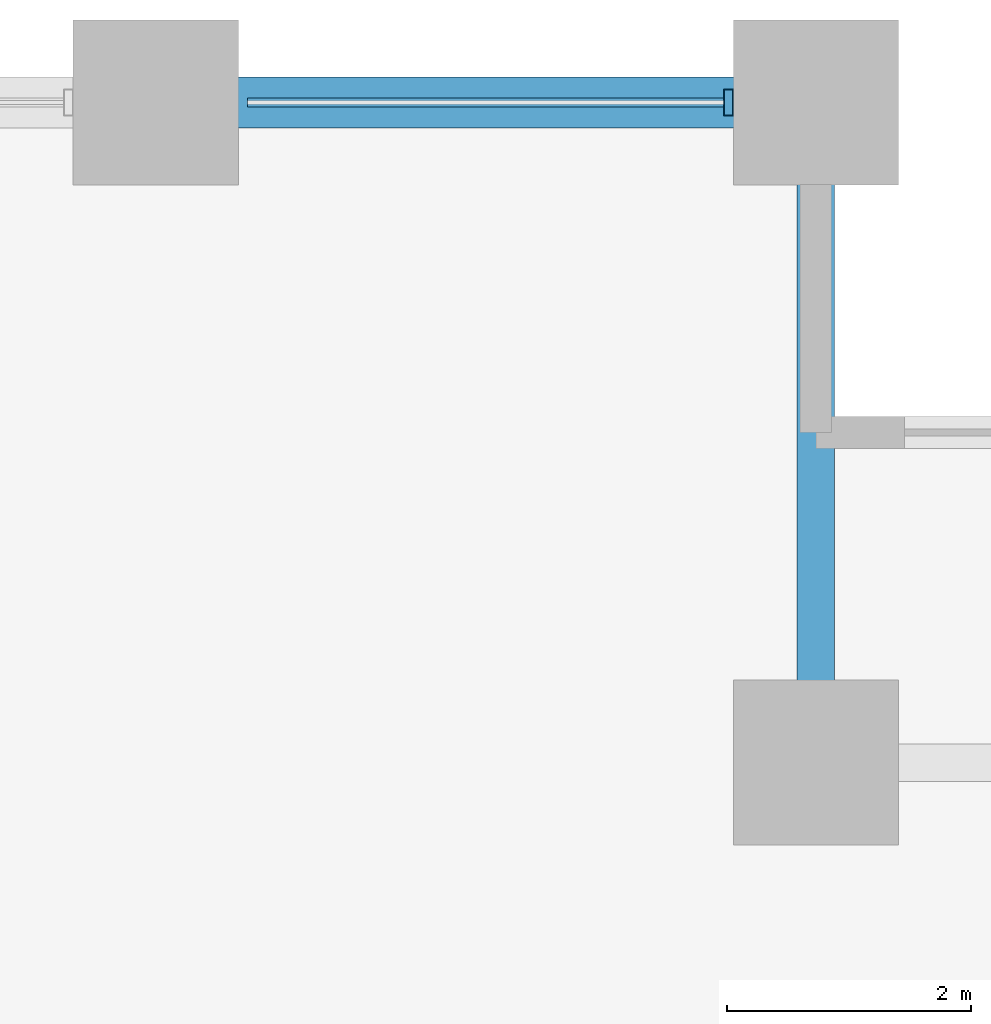
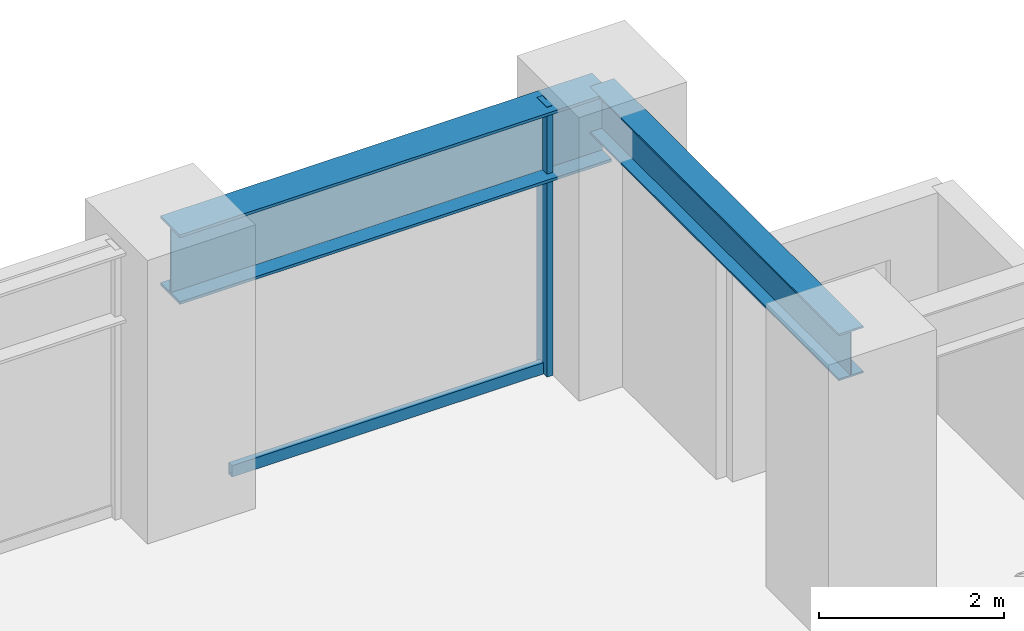
# One storey, part 16 of 25: 2 beams, 2 members, 1 element without a shape of its own.
"""IFC4 building model written with IfcOpenShell, lengths in metres."""

from ifc_helpers import new_model, si_unit, direction, frame, origin, origin_2d, place, context, subcontext, project, spatial, hollow_rectangle, i_section, extrude, material, layer, layer_set, material_profile, profile_set, type_object, element, aggregate, save


model = new_model("IFC4")

# Units and contexts
model_context = context("Model", 3, precision=1e-05, world=origin(), true_north=direction((0.0, 1.0)))
body_context = subcontext(model_context, "Body", "Model", "MODEL_VIEW")
ifc_project = project(units=[si_unit("LENGTHUNIT", "METRE"), si_unit("AREAUNIT", "SQUARE_METRE"), si_unit("VOLUMEUNIT", "CUBIC_METRE"), si_unit("PLANEANGLEUNIT", "RADIAN"), si_unit("MASSUNIT", "GRAM", prefix="KILO")], contexts=[model_context])

# Site, building, storey
site_placement = place(None, origin())
site = spatial("IfcSite", under=ifc_project, at=site_placement, CompositionType="ELEMENT")
building_placement = place(site_placement, origin())
building = spatial("IfcBuilding", under=site, at=building_placement, Name="Surkhivell Harbour Commons", CompositionType="ELEMENT")
storey_placement = place(building_placement, frame((0.0, 0.0, 33.75)))
storey = spatial("IfcBuildingStorey", under=building, at=storey_placement, Name="L08", CompositionType="ELEMENT", Elevation=33.75)

# Beams
ifc_material_1 = material(Name="Steel S355", Category="steel")
ifc_material_profile_1 = material_profile(ifc_material_1, i_section(OverallWidth=0.306884765625, OverallDepth=0.6201171875, WebThickness=0.01416015625, FlangeThickness=0.023681640625, at=origin_2d()), Name="UB610x305x179")
ifc_profile_set_1 = profile_set([ifc_material_profile_1], Name="Steel S355")
beam_type_1 = type_object("IfcBeamType", Name="BM-GRD-610A", PredefinedType="BEAM", material=ifc_profile_set_1)
beam_1_placement = place(storey_placement, frame((27.0, 20.5, 3.260009765625), z_axis=(0.0, 1.0, 0.0), x_axis=(-1.0, 0.0, 0.0)))
element("IfcBeam", 1, at=beam_1_placement, inside=storey, type_object=beam_type_1, Name="L08 Floor Girder (27.0,20.5)", PredefinedType="BEAM", context=body_context, shape_type="SweptSolid", body=[
    extrude(i_section(OverallWidth=0.306884765625, OverallDepth=0.6201171875, WebThickness=0.01416015625, FlangeThickness=0.023681640625, at=origin_2d()), origin(), (0.0, 0.0, 1.0), 5.39990234375),
])
ifc_material_2 = material(Name="Steel S460", Category="steel")
ifc_material_profile_2 = material_profile(ifc_material_2, i_section(OverallWidth=0.419921875, OverallDepth=0.9208984375, WebThickness=0.021484375, FlangeThickness=0.03662109375, at=origin_2d()), Name="UB914x419x388")
ifc_profile_set_2 = profile_set([ifc_material_profile_2], Name="Steel S460")
beam_type_2 = type_object("IfcBeamType", Name="BM-SPN-914A", PredefinedType="SPANDREL", material=ifc_profile_set_2)
beam_2_placement = place(storey_placement, frame((21.60009765625, 25.89990234375, 3.109619140625), z_axis=(1.0, 0.0, 0.0), x_axis=(0.0, 1.0, 0.0)))
element("IfcBeam", 2, at=beam_2_placement, inside=storey, type_object=beam_type_2, Name="L08 Tube Spandrel (21.6,25.9)", PredefinedType="SPANDREL", context=body_context, shape_type="SweptSolid", body=[
    extrude(i_section(OverallWidth=0.419921875, OverallDepth=0.9208984375, WebThickness=0.021484375, FlangeThickness=0.03662109375, at=origin_2d()), origin(), (0.0, 0.0, 1.0), 5.39990234375),
])

# Curtain wall, members
ifc_material_3 = material(Name="Anodised pale-metal aluminium and insulated glazing", Category="aluminium")
ifc_layer = layer(ifc_material_3, 0.219970703125)
ifc_layer_set = layer_set([ifc_layer], Name="Anodised pale-metal aluminium and insulated glazing")
curtain_wall_type = type_object("IfcCurtainWallType", Name="CW-SYS-Z1", PredefinedType="NOTDEFINED", material=ifc_layer_set)
curtain_wall_placement = place(storey_placement, origin())
curtain_wall = element("IfcCurtainWall", 3, at=curtain_wall_placement, inside=storey, type_object=curtain_wall_type, Name="L08 Curtain Wall CW-L08-E07S1", PredefinedType="NOTDEFINED")
ifc_material_4 = material(Name="Anodised pale-metal aluminium alloy 6063-T6", Category="aluminium")
ifc_material_profile_3 = material_profile(ifc_material_4, hollow_rectangle(XDim=0.074951171875, YDim=0.219970703125, WallThickness=0.00390625, at=origin_2d()), Name="ALU-MULL-75x220")
ifc_profile_set_3 = profile_set([ifc_material_profile_3], Name="Anodised pale-metal aluminium alloy 6063-T6")
member_type_1 = type_object("IfcMemberType", Name="CWM-220", PredefinedType="MULLION", material=ifc_profile_set_3)
member_1_placement = place(storey_placement, frame((26.285400390625, 25.89990234375, 0.0), z_axis=(0.0, 0.0, 1.0), x_axis=(-1.0, 0.0, 0.0)))
member_1 = element("IfcMember", 4, at=member_1_placement, type_object=member_type_1, Name="CW-Z1 mullion 1", PredefinedType="MULLION", context=body_context, shape_type="SweptSolid", body=[
    extrude(hollow_rectangle(XDim=0.074951171875, YDim=0.219970703125, WallThickness=0.00390625, at=origin_2d()), origin(), (0.0, 0.0, 1.0), 3.570068359375),
])
ifc_material_profile_4 = material_profile(ifc_material_4, hollow_rectangle(XDim=0.074951171875, YDim=0.14990234375, WallThickness=0.00341796875, at=origin_2d()), Name="ALU-TRAN-75x150")
ifc_profile_set_4 = profile_set([ifc_material_profile_4], Name="Anodised pale-metal aluminium alloy 6063-T6")
member_type_2 = type_object("IfcMemberType", Name="CWT-150", PredefinedType="USERDEFINED", material=ifc_profile_set_4)
member_2_placement = place(storey_placement, frame((26.248046875, 25.89990234375, 0.074951171875), z_axis=(-1.0, 0.0, 0.0), x_axis=(0.0, -1.0, 0.0)))
member_2 = element("IfcMember", 5, at=member_2_placement, type_object=member_type_2, Name="CW-Z1 transom 1.1", ObjectType="TRANSOM", PredefinedType="USERDEFINED", context=body_context, shape_type="SweptSolid", body=[
    extrude(hollow_rectangle(XDim=0.074951171875, YDim=0.14990234375, WallThickness=0.00341796875, at=origin_2d()), origin(), (0.0, 0.0, 1.0), 3.89599609375),
])
aggregate(curtain_wall, [member_1, member_2])

save(model, "model.ifc")
